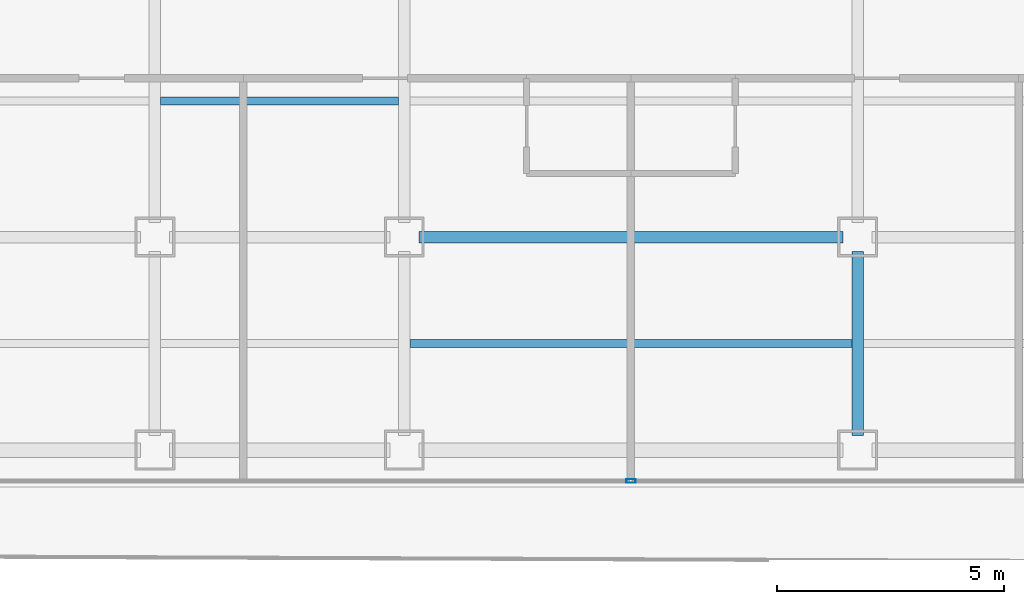
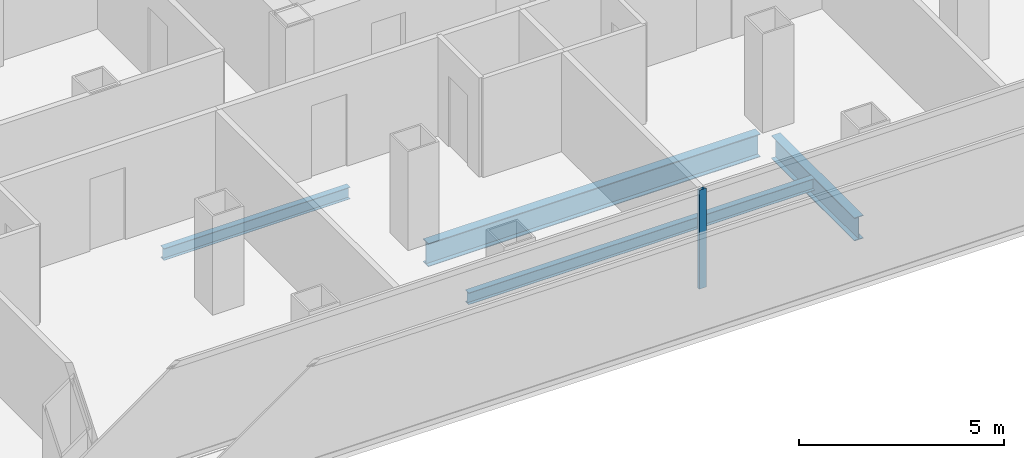
# One storey, part 4 of 21: 4 beams, 1 member, 1 element without a shape of its own.
"""IFC4 building model written with IfcOpenShell, lengths in metres."""

from ifc_helpers import new_model, si_unit, direction, frame, origin, origin_2d, place, context, subcontext, project, spatial, hollow_rectangle, i_section, extrude, source, transform, mapped, material, layer, layer_set, material_profile, profile_set, type_object, element, aggregate, save


model = new_model("IFC4")

# Units and contexts
model_context = context("Model", 3, precision=1e-05, world=origin(), true_north=direction((0.0, 1.0)))
body_context = subcontext(model_context, "Body", "Model", "MODEL_VIEW")
ifc_project = project(units=[si_unit("LENGTHUNIT", "METRE"), si_unit("AREAUNIT", "SQUARE_METRE"), si_unit("VOLUMEUNIT", "CUBIC_METRE"), si_unit("PLANEANGLEUNIT", "RADIAN"), si_unit("MASSUNIT", "GRAM", prefix="KILO")], contexts=[model_context])

# Site, building, storey
site_placement = place(None, origin())
site = spatial("IfcSite", under=ifc_project, at=site_placement, CompositionType="ELEMENT")
building_placement = place(site_placement, origin())
building = spatial("IfcBuilding", under=site, at=building_placement, Name="Kolveth Station Tower", CompositionType="ELEMENT")
storey_placement = place(building_placement, frame((0.0, 0.0, 108.699951171875)))
storey = spatial("IfcBuildingStorey", under=building, at=storey_placement, Name="L29", CompositionType="ELEMENT", Elevation=108.699951171875)

# Beams
ifc_material_1 = material(Name="Steel S355", Category="steel")
ifc_material_profile_1 = material_profile(ifc_material_1, i_section(OverallWidth=0.25390625, OverallDepth=0.68798828125, WebThickness=0.01318359375, FlangeThickness=0.02099609375, at=origin_2d()), Name="W690x152")
ifc_profile_set_1 = profile_set([ifc_material_profile_1], Name="Steel S355")
beam_type_1 = type_object("IfcBeamType", Name="Beam_B4", PredefinedType="BEAM", material=ifc_profile_set_1)
shared_shape_1 = source(origin(), body_context, "Body", "SweptSolid", [
    extrude(i_section(OverallWidth=0.25390625, OverallDepth=0.68798828125, WebThickness=0.01318359375, FlangeThickness=0.02099609375, at=origin_2d()), origin(), (0.0, 0.0, 1.0), 9.35986328125),
])
beam_1_placement = place(storey_placement, frame((18.820068359375, 5.5, -0.593994140625), z_axis=(1.0, 0.0, 0.0), x_axis=(0.0, 1.0, 0.0)))
element("IfcBeam", 1, at=beam_1_placement, inside=storey, type_object=beam_type_1, Name="L29 Primary Girder BM-L29-GY55-4", PredefinedType="BEAM", context=body_context, shape_type="MappedRepresentation", body=[
    mapped(shared_shape_1, transform((0.0, 0.0, 0.0), x_axis=(1.0, 0.0, 0.0), y_axis=(0.0, 1.0, 0.0), z_axis=(0.0, 0.0, 1.0), scale=1.0)),
])
shared_shape_2 = source(origin(), body_context, "Body", "SweptSolid", [
    extrude(i_section(OverallWidth=0.25390625, OverallDepth=0.68798828125, WebThickness=0.01318359375, FlangeThickness=0.02099609375, at=origin_2d()), origin(), (0.0, 0.0, 1.0), 4.059814453125),
])
beam_2_placement = place(storey_placement, frame((28.5, 1.1201171875, -0.593994140625), z_axis=(0.0, 1.0, 0.0), x_axis=(-1.0, 0.0, 0.0)))
element("IfcBeam", 2, at=beam_2_placement, inside=storey, type_object=beam_type_1, Name="L29 Primary Girder BM-L29-GX285-1", PredefinedType="BEAM", context=body_context, shape_type="MappedRepresentation", body=[
    mapped(shared_shape_2, transform((0.0, 0.0, 0.0), x_axis=(1.0, 0.0, 0.0), y_axis=(0.0, 1.0, 0.0), z_axis=(0.0, 0.0, 1.0), scale=1.0)),
])
ifc_material_profile_2 = material_profile(ifc_material_1, i_section(OverallWidth=0.1708984375, OverallDepth=0.35205078125, WebThickness=0.0068359375, FlangeThickness=0.009765625, at=origin_2d()), Name="W360x44")
ifc_profile_set_2 = profile_set([ifc_material_profile_2], Name="Steel S355")
beam_type_2 = type_object("IfcBeamType", Name="Beam_J2", PredefinedType="JOIST", material=ifc_profile_set_2)
shared_shape_3 = source(origin(), body_context, "Body", "SweptSolid", [
    extrude(i_section(OverallWidth=0.1708984375, OverallDepth=0.35205078125, WebThickness=0.0068359375, FlangeThickness=0.009765625, at=origin_2d()), origin(), (0.0, 0.0, 1.0), 5.25),
])
beam_3_placement = place(storey_placement, frame((13.125, 8.5, -0.426025390625), z_axis=(1.0, 0.0, 0.0), x_axis=(0.0, 1.0, 0.0)))
element("IfcBeam", 3, at=beam_3_placement, inside=storey, type_object=beam_type_2, Name="L29 Secondary Joist JST-L29-3-2", PredefinedType="JOIST", context=body_context, shape_type="MappedRepresentation", body=[
    mapped(shared_shape_3, transform((0.0, 0.0, 0.0), x_axis=(1.0, 0.0, 0.0), y_axis=(0.0, 1.0, 0.0), z_axis=(0.0, 0.0, 1.0), scale=1.0)),
])
shared_shape_4 = source(origin(), body_context, "Body", "SweptSolid", [
    extrude(i_section(OverallWidth=0.1708984375, OverallDepth=0.35205078125, WebThickness=0.0068359375, FlangeThickness=0.009765625, at=origin_2d()), origin(), (0.0, 0.0, 1.0), 9.75),
])
beam_4_placement = place(storey_placement, frame((18.625, 3.14990234375, -0.426025390625), z_axis=(1.0, 0.0, 0.0), x_axis=(0.0, 1.0, 0.0)))
element("IfcBeam", 4, at=beam_4_placement, inside=storey, type_object=beam_type_2, Name="L29 Secondary Joist JST-L29-4-1", PredefinedType="JOIST", context=body_context, shape_type="MappedRepresentation", body=[
    mapped(shared_shape_4, transform((0.0, 0.0, 0.0), x_axis=(1.0, 0.0, 0.0), y_axis=(0.0, 1.0, 0.0), z_axis=(0.0, 0.0, 1.0), scale=1.0)),
])

# Curtain wall, member
ifc_material_2 = material(Name="Aluminium 6063-T6 and low-E dark glass", Category="aluminium")
ifc_layer = layer(ifc_material_2, 0.18994140625)
ifc_layer_set = layer_set([ifc_layer], Name="Aluminium 6063-T6 and low-E dark glass")
curtain_wall_type = type_object("IfcCurtainWallType", Name="CurtainWall_CW-Z2", PredefinedType="NOTDEFINED", material=ifc_layer_set)
curtain_wall_placement = place(storey_placement, origin())
curtain_wall = element("IfcCurtainWall", 5, at=curtain_wall_placement, inside=storey, type_object=curtain_wall_type, Name="L29 Inner Thermal Curtain Wall 12", PredefinedType="NOTDEFINED")
ifc_material_3 = material(Name="Black anodized aluminium 6063-T6", Category="aluminium")
ifc_material_profile_3 = material_profile(ifc_material_3, hollow_rectangle(XDim=0.080078125, YDim=0.199951171875, WallThickness=0.0048828125, at=origin_2d()), Name="ALU-80x200x5")
ifc_profile_set_3 = profile_set([ifc_material_profile_3], Name="Black anodized aluminium 6063-T6")
member_type = type_object("IfcMemberType", Name="Mullion_ML2", PredefinedType="MULLION", material=ifc_profile_set_3)
shared_shape_5 = source(origin(), body_context, "Body", "SweptSolid", [
    extrude(hollow_rectangle(XDim=0.080078125, YDim=0.199951171875, WallThickness=0.0048828125, at=origin_2d()), origin(), (0.0, 0.0, 1.0), 2.949951171875),
])
member_placement = place(storey_placement, frame((23.5, 0.1201171875, 0.0), z_axis=(0.0, 0.0, 1.0), x_axis=(0.0, 1.0, 0.0)))
member = element("IfcMember", 6, at=member_placement, type_object=member_type, Name="CW-Z2 mullion 2", PredefinedType="MULLION", context=body_context, shape_type="MappedRepresentation", body=[
    mapped(shared_shape_5, transform((0.0, 0.0, 0.0), x_axis=(1.0, 0.0, 0.0), y_axis=(0.0, 1.0, 0.0), z_axis=(0.0, 0.0, 1.0), scale=1.0)),
])
aggregate(curtain_wall, [member])

save(model, "model.ifc")
